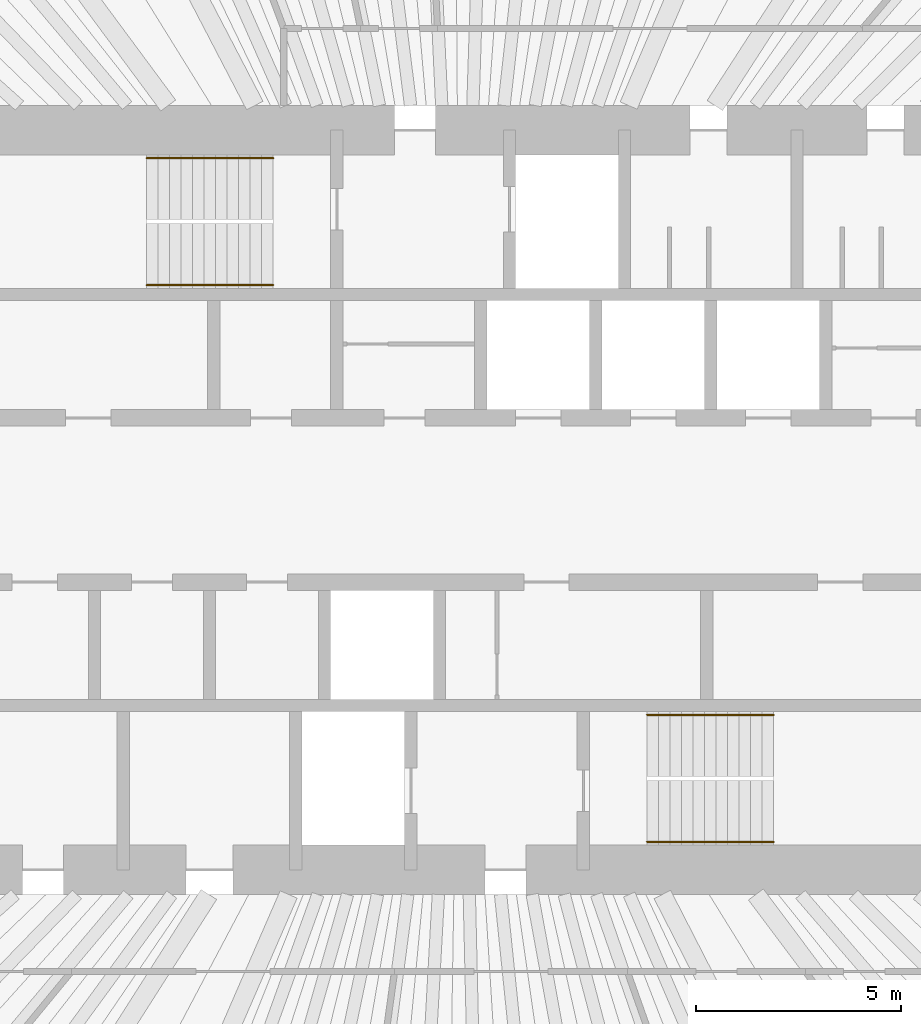
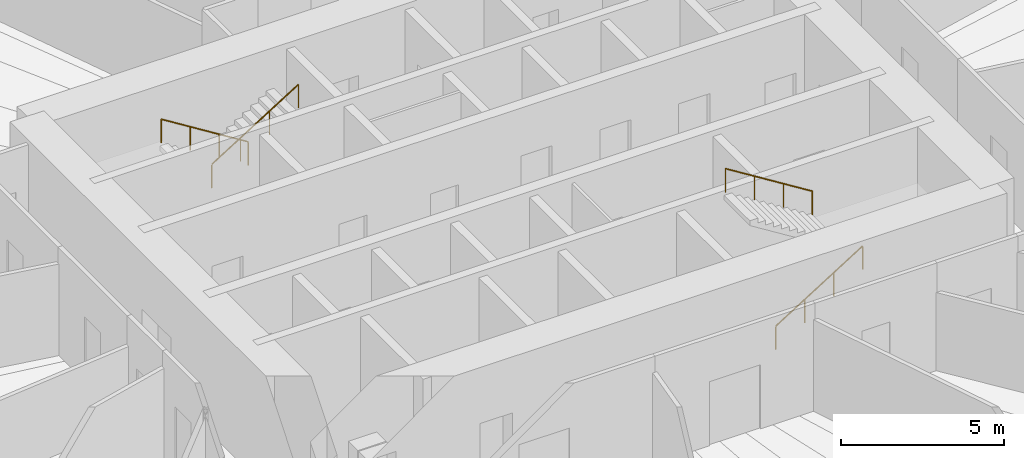
# One storey, part 14 of 14: 4 railings.
"""IFC4 building model written with IfcOpenShell, lengths in metres."""

from ifc_helpers import new_model, si_unit, direction, frame, origin, origin_2d, place, context, subcontext, project, spatial, circle, extrude, material, type_object, element, save


model = new_model("IFC4")

# Units and contexts
model_context = context("Model", 3, precision=1e-05, world=origin(), true_north=direction((0.0, 1.0)))
body_context = subcontext(model_context, "Body", "Model", "MODEL_VIEW")
ifc_project = project(units=[si_unit("LENGTHUNIT", "METRE"), si_unit("AREAUNIT", "SQUARE_METRE"), si_unit("VOLUMEUNIT", "CUBIC_METRE"), si_unit("PLANEANGLEUNIT", "RADIAN"), si_unit("MASSUNIT", "GRAM", prefix="KILO")], contexts=[model_context])

# Site, building, storey
site_placement = place(None, origin())
site = spatial("IfcSite", under=ifc_project, at=site_placement, CompositionType="ELEMENT")
building_placement = place(site_placement, origin())
building = spatial("IfcBuilding", under=site, at=building_placement, Name="Qingtian Harvest Tower", CompositionType="ELEMENT")
storey_placement = place(building_placement, frame((0.0, 0.0, 243.39990234375)))
storey = spatial("IfcBuildingStorey", under=building, at=storey_placement, Name="L53", CompositionType="ELEMENT", Elevation=243.39990234375)

# Railings
ifc_material = material(Name="Stainless steel handrail", Category="steel")
railing_type = type_object("IfcRailingType", Name="Handrail HR1", PredefinedType="HANDRAIL", material=ifc_material)
railing_1_placement = place(storey_placement, frame((-4.550048828125, 8.320068359375, 0.175048828125)))
element("IfcRailing", 1, at=railing_1_placement, inside=storey, type_object=railing_type, Name="Handrail HR1 S1 flight 1", PredefinedType="HANDRAIL", context=body_context, shape_type="SweptSolid", body=[
    extrude(circle(Radius=0.02392578125, at=origin_2d()), frame((0.0, 0.0, 0.8759765625), z_axis=(-0.847979421464, 0.0, 0.530029150871), x_axis=(0.0, -1.0, 0.0)), (0.0, 0.0, 1.0), 3.632080078125),
    extrude(circle(Radius=0.02099609375, at=origin_2d()), origin(), (0.0, 0.0, 1.0), 0.851806640625),
    extrude(circle(Radius=0.02099609375, at=origin_2d()), frame((-1.026611328125, 0.0, 0.6416015625)), (0.0, 0.0, 1.0), 0.851806640625),
    extrude(circle(Radius=0.02099609375, at=origin_2d()), frame((-2.05322265625, 0.0, 1.283447265625)), (0.0, 0.0, 1.0), 0.851806640625),
    extrude(circle(Radius=0.02099609375, at=origin_2d()), frame((-3.079833984375, 0.0, 1.925048828125)), (0.0, 0.0, 1.0), 0.851806640625),
])
for number, where, name in (
    (2, (-7.6298828125, 5.22998046875, 2.275146484375), "Handrail HR1 S1 flight 2"),
    (3, (4.550048828125, -8.320068359375, 0.175048828125), "Handrail HR1 S2 flight 1"),
):
    element("IfcRailing", number, at=place(storey_placement, frame(where)), inside=storey, type_object=railing_type, Name=name, PredefinedType="HANDRAIL", context=body_context, shape_type="SweptSolid", body=[
        extrude(circle(Radius=0.02392578125, at=origin_2d()), frame((0.0, 0.0, 0.8759765625), z_axis=(0.847979421464, 0.0, 0.530029150871), x_axis=(0.0, 1.0, 0.0)), (0.0, 0.0, 1.0), 3.632080078125),
        extrude(circle(Radius=0.02099609375, at=origin_2d()), origin(), (0.0, 0.0, 1.0), 0.851806640625),
        extrude(circle(Radius=0.02099609375, at=origin_2d()), frame((1.026611328125, 0.0, 0.6416015625)), (0.0, 0.0, 1.0), 0.851806640625),
        extrude(circle(Radius=0.02099609375, at=origin_2d()), frame((2.05322265625, 0.0, 1.283447265625)), (0.0, 0.0, 1.0), 0.851806640625),
        extrude(circle(Radius=0.02099609375, at=origin_2d()), frame((3.079833984375, 0.0, 1.925048828125)), (0.0, 0.0, 1.0), 0.851806640625),
    ])
railing_2_placement = place(storey_placement, frame((7.6298828125, -5.22998046875, 2.275146484375)))
element("IfcRailing", 4, at=railing_2_placement, inside=storey, type_object=railing_type, Name="Handrail HR1 S2 flight 2", PredefinedType="HANDRAIL", context=body_context, shape_type="SweptSolid", body=[
    extrude(circle(Radius=0.02392578125, at=origin_2d()), frame((0.0, 0.0, 0.8759765625), z_axis=(-0.847979421464, 0.0, 0.530029150871), x_axis=(0.0, -1.0, 0.0)), (0.0, 0.0, 1.0), 3.632080078125),
    extrude(circle(Radius=0.02099609375, at=origin_2d()), origin(), (0.0, 0.0, 1.0), 0.851806640625),
    extrude(circle(Radius=0.02099609375, at=origin_2d()), frame((-1.026611328125, 0.0, 0.6416015625)), (0.0, 0.0, 1.0), 0.851806640625),
    extrude(circle(Radius=0.02099609375, at=origin_2d()), frame((-2.05322265625, 0.0, 1.283447265625)), (0.0, 0.0, 1.0), 0.851806640625),
    extrude(circle(Radius=0.02099609375, at=origin_2d()), frame((-3.079833984375, 0.0, 1.925048828125)), (0.0, 0.0, 1.0), 0.851806640625),
])

save(model, "model.ifc")
